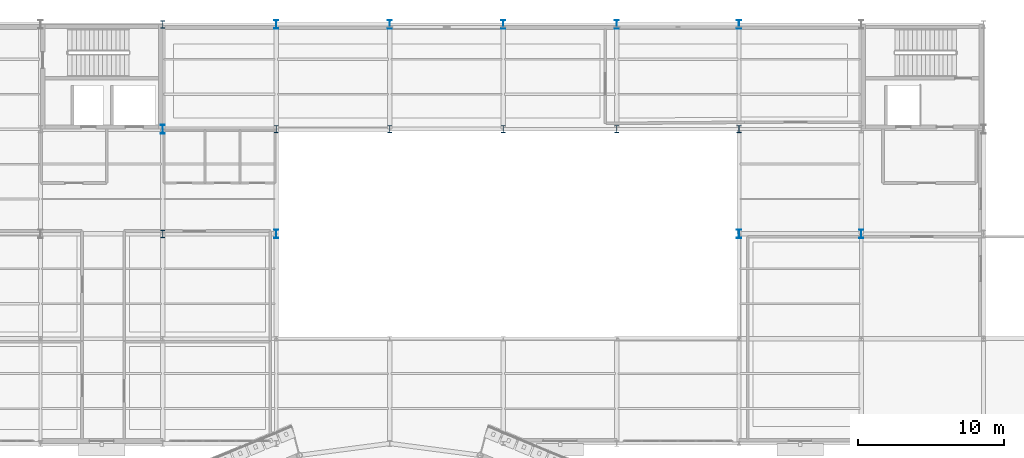
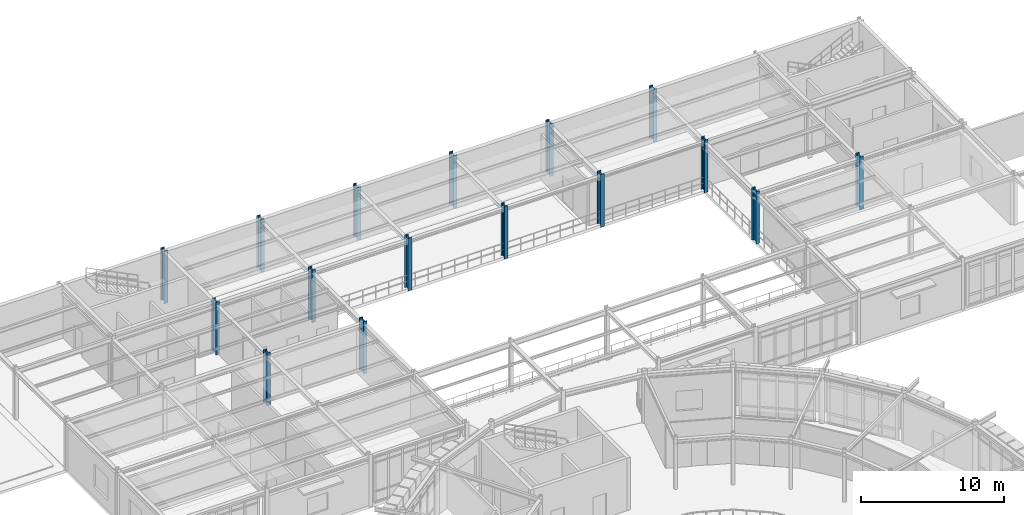
# One storey, part 21 of 106: 16 columns.
"""IFC4 building model written with IfcOpenShell, lengths in metres."""

from ifc_helpers import new_model, si_unit, derived_unit, direction, frame, origin, origin_2d, place, context, subcontext, project, spatial, i_section, extrude, material, material_profile, profile_set, type_object, element, save


model = new_model("IFC4")

# Units and contexts
model_context = context("Model", 3, precision=1e-05, world=origin(), true_north=direction((0.0, 1.0)))
body_context = subcontext(model_context, "Body", "Model", "MODEL_VIEW")
ifc_project = project(units=[si_unit("LENGTHUNIT", "METRE"), si_unit("AREAUNIT", "SQUARE_METRE"), si_unit("VOLUMEUNIT", "CUBIC_METRE"), si_unit("PLANEANGLEUNIT", "RADIAN"), si_unit("MASSUNIT", "GRAM", prefix="KILO"), derived_unit("THERMALTRANSMITTANCEUNIT", [(si_unit("POWERUNIT", "WATT"), 1), (si_unit("AREAUNIT", "SQUARE_METRE"), -1), (si_unit("THERMODYNAMICTEMPERATUREUNIT", "KELVIN"), -1)])], contexts=[model_context])

# Site, building, storey
site_placement = place(None, origin())
site = spatial("IfcSite", under=ifc_project, at=site_placement, CompositionType="ELEMENT")
building_placement = place(site_placement, origin())
building = spatial("IfcBuilding", under=site, at=building_placement, Name="Yasenodar Specialist Clinic", CompositionType="ELEMENT")
storey_placement = place(building_placement, frame((0.0, 0.0, 4.5)))
storey = spatial("IfcBuildingStorey", under=building, at=storey_placement, Name="L01", CompositionType="ELEMENT", Elevation=4.5)

# Columns
ifc_material = material(Name="Steel S355", Category="steel")
ifc_material_profile_1 = material_profile(ifc_material, i_section(OverallWidth=0.300048828125, OverallDepth=0.5, WebThickness=0.014404296875, FlangeThickness=0.028076171875, FilletRadius=0.027099609375, at=origin_2d()), Name="HEB 500")
ifc_profile_set_1 = profile_set([ifc_material_profile_1], Name="Steel S355")
column_type_1 = type_object("IfcColumnType", Name="COL-ST-HEB500", PredefinedType="COLUMN", material=ifc_profile_set_1)
for number, where, z_axis, x_axis, name in (
    (1, (65.39990234375, 97.199951171875, 0.0), (0.0, 0.0, 1.0), (1.0, 0.0, 0.0), "L01 Column V5-095"),
    (2, (65.39990234375, 111.60009765625, 0.0), (0.0, 0.0, 1.0), (1.0, 0.0, 0.0), "L01 Column V5-097"),
    (3, (73.199951171875, 104.39990234375, 0.0), (0.0, 0.0, 1.0), (1.0, 0.0, 0.0), "L01 Column V5-101"),
    (4, (81.0, 104.39990234375, 0.0), (0.0, 0.0, 1.0), (1.0, 0.0, 0.0), "L01 Column V5-105"),
    (5, (88.800048828125, 104.39990234375, 0.0), (0.0, 0.0, 1.0), (1.0, 0.0, 0.0), "L01 Column V5-109"),
    (6, (96.60009765625, 104.39990234375, 0.0), (0.0, 0.0, 1.0), (1.0, 0.0, 0.0), "L01 Column V5-115"),
    (7, (105.0, 104.39990234375, 0.0), (0.0, 0.0, 1.0), (1.0, 0.0, 0.0), "L01 Column V5-125"),
):
    element("IfcColumn", number, at=place(storey_placement, frame(where, z_axis=z_axis, x_axis=x_axis)), inside=storey, type_object=column_type_1, Name=name, PredefinedType="COLUMN", context=body_context, shape_type="SweptSolid", body=[
        extrude(i_section(OverallWidth=0.300048828125, OverallDepth=0.5, WebThickness=0.014404296875, FlangeThickness=0.028076171875, FilletRadius=0.027099609375, at=origin_2d()), origin(), (0.0, 0.0, 1.0), 4.5),
    ])
ifc_material_profile_2 = material_profile(ifc_material, i_section(OverallWidth=0.300048828125, OverallDepth=0.60009765625, WebThickness=0.015380859375, FlangeThickness=0.030029296875, FilletRadius=0.027099609375, at=origin_2d()), Name="HEB 600")
ifc_profile_set_2 = profile_set([ifc_material_profile_2], Name="Steel S355")
column_type_2 = type_object("IfcColumnType", Name="COL-ST-HEB600", PredefinedType="COLUMN", material=ifc_profile_set_2)
for number, where, z_axis, x_axis, name in (
    (8, (65.39990234375, 104.39990234375, 0.0), (0.0, 0.0, 1.0), (1.0, 0.0, 0.0), "L01 Column V5-096"),
    (9, (73.199951171875, 97.199951171875, 0.0), (0.0, 0.0, 1.0), (1.0, 0.0, 0.0), "L01 Column V5-100"),
    (10, (73.199951171875, 111.60009765625, 0.0), (0.0, 0.0, 1.0), (1.0, 0.0, 0.0), "L01 Column V5-102"),
    (11, (81.0, 111.60009765625, 0.0), (0.0, 0.0, 1.0), (1.0, 0.0, 0.0), "L01 Column V5-106"),
    (12, (88.800048828125, 111.60009765625, 0.0), (0.0, 0.0, 1.0), (1.0, 0.0, 0.0), "L01 Column V5-110"),
    (13, (96.60009765625, 111.60009765625, 0.0), (0.0, 0.0, 1.0), (1.0, 0.0, 0.0), "L01 Column V5-116"),
    (14, (105.0, 97.199951171875, 0.0), (0.0, 0.0, 1.0), (1.0, 0.0, 0.0), "L01 Column V5-124"),
    (15, (105.0, 111.60009765625, 0.0), (0.0, 0.0, 1.0), (1.0, 0.0, 0.0), "L01 Column V5-126"),
    (16, (113.39990234375, 97.199951171875, 0.0), (0.0, 0.0, 1.0), (1.0, 0.0, 0.0), "L01 Column V5-134"),
):
    element("IfcColumn", number, at=place(storey_placement, frame(where, z_axis=z_axis, x_axis=x_axis)), inside=storey, type_object=column_type_2, Name=name, PredefinedType="COLUMN", context=body_context, shape_type="SweptSolid", body=[
        extrude(i_section(OverallWidth=0.300048828125, OverallDepth=0.60009765625, WebThickness=0.015380859375, FlangeThickness=0.030029296875, FilletRadius=0.027099609375, at=origin_2d()), origin(), (0.0, 0.0, 1.0), 4.5),
    ])

save(model, "model.ifc")
